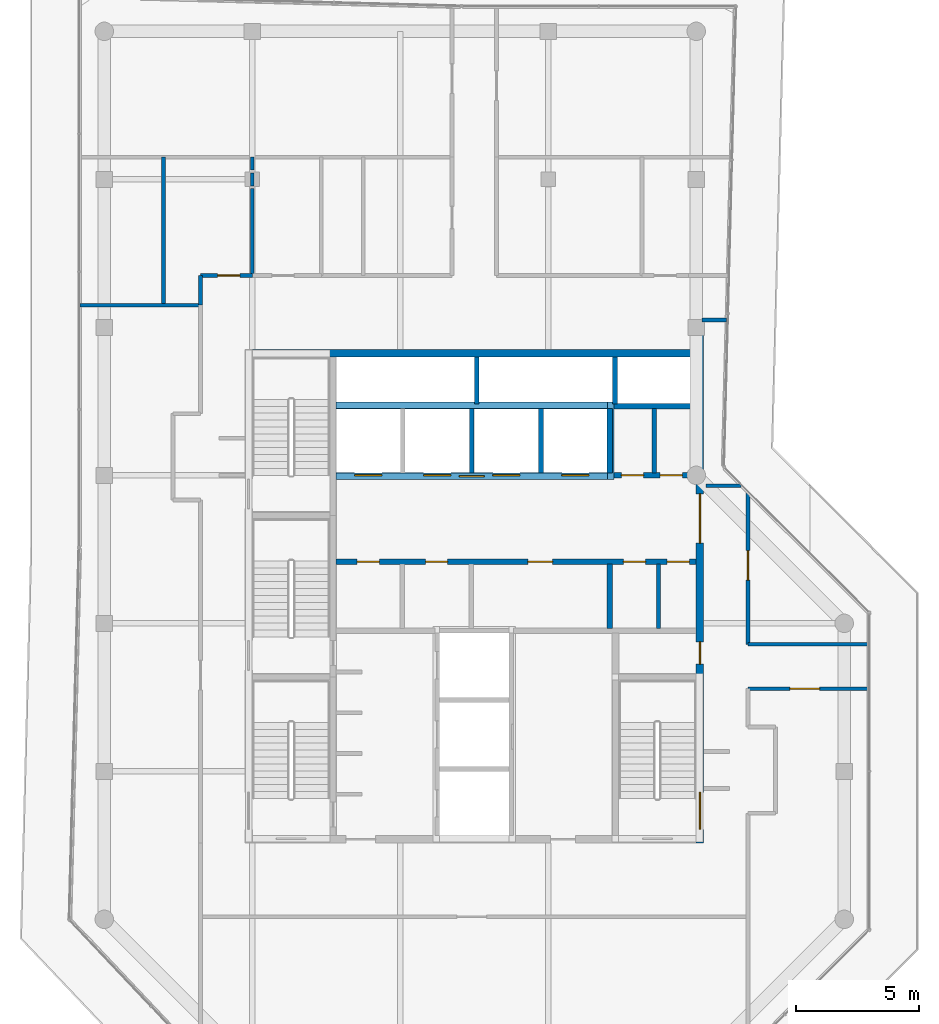
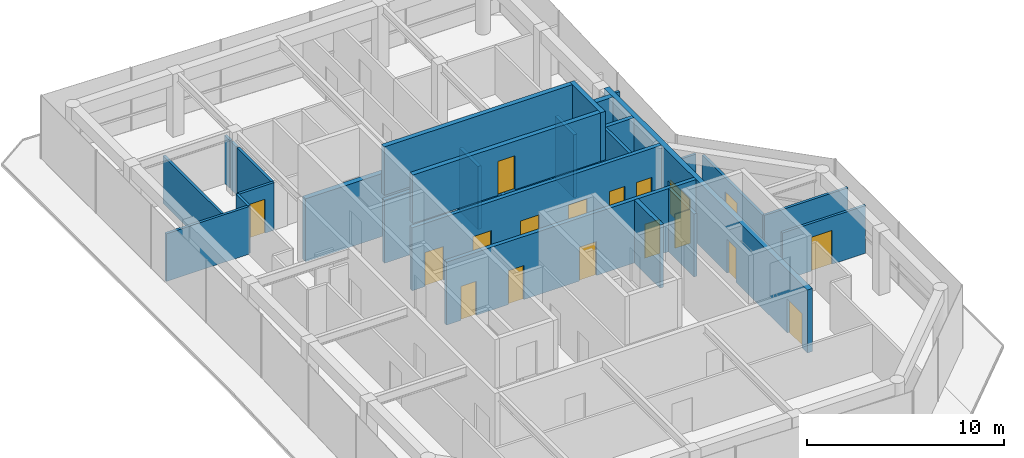
# One storey, part 12 of 15: 28 walls, 18 doors, 18 openings.
"""IFC4 building model written with IfcOpenShell, lengths in metres."""

from ifc_helpers import new_model, si_unit, direction, frame, frame_2d, origin, place, context, subcontext, project, spatial, rectangle, extrude, material, layer, layer_set, type_object, element, fill, save


model = new_model("IFC4")

# Units and contexts
model_context = context("Model", 3, precision=1e-05, world=origin(), true_north=direction((0.0, 1.0)))
body_context = subcontext(model_context, "Body", "Model", "MODEL_VIEW")
ifc_project = project(units=[si_unit("LENGTHUNIT", "METRE"), si_unit("AREAUNIT", "SQUARE_METRE"), si_unit("VOLUMEUNIT", "CUBIC_METRE"), si_unit("PLANEANGLEUNIT", "RADIAN"), si_unit("MASSUNIT", "GRAM", prefix="KILO")], contexts=[model_context])

# Site, building, storey
site_placement = place(None, origin())
site = spatial("IfcSite", under=ifc_project, at=site_placement, CompositionType="ELEMENT")
building_placement = place(site_placement, origin())
building = spatial("IfcBuilding", under=site, at=building_placement, Name="Welwitschia Terrace Campus", CompositionType="ELEMENT")
storey_placement = place(building_placement, frame((0.0, 0.0, 339.800048828125)))
storey = spatial("IfcBuildingStorey", under=building, at=storey_placement, Name="L76", CompositionType="ELEMENT", Elevation=339.800048828125)

# Walls
ifc_material_1 = material(Name="Concrete C32/40", Category="concrete")
ifc_layer_1 = layer(ifc_material_1, 0.175048828125)
ifc_layer_set_1 = layer_set([ifc_layer_1], Name="Concrete C32/40")
wall_type_1 = type_object("IfcWallType", Name="Core partition 175 Concrete C32/40", PredefinedType="PARTITIONING", material=ifc_layer_set_1)
for number, where, z_axis, x_axis, name in (
    (1, (22.300048828125, 20.10009765625, 0.0), (0.0, 0.0, 1.0), (0.0, 1.0, 0.0), "Core partition"),
    (2, (22.469970703125, 13.800048828125, 0.0), (0.0, 0.0, 1.0), (0.0, 1.0, 0.0), "Core partition"),
):
    element("IfcWall", number, at=place(storey_placement, frame(where, z_axis=z_axis, x_axis=x_axis)), inside=storey, type_object=wall_type_1, Name=name, PredefinedType="PARTITIONING", context=body_context, shape_type="SweptSolid", body=[
        extrude(rectangle(XDim=2.599853515625, YDim=0.175048828125, at=frame_2d((1.2998046875, 0.0))), origin(), (0.0, 0.0, 1.0), 3.89990234375),
    ])

# Wall, openings, doors
ifc_material_2 = material(Name="Concrete C32/40", Category="concrete")
ifc_layer_2 = layer(ifc_material_2, 0.22509765625)
ifc_layer_set_2 = layer_set([ifc_layer_2], Name="Concrete C32/40")
wall_type_2 = type_object("IfcWallType", Name="Core partition 225 Concrete C32/40", PredefinedType="PARTITIONING", material=ifc_layer_set_2)
wall_1_placement = place(storey_placement, frame((9.39990234375, 16.5, 0.0), z_axis=(0.0, 0.0, 1.0), x_axis=(1.0, 0.0, 0.0)))
wall_1 = element("IfcWall", 3, at=wall_1_placement, inside=storey, type_object=wall_type_2, Name="Core partition", PredefinedType="PARTITIONING", context=body_context, shape_type="SweptSolid", body=[
    extrude(rectangle(XDim=14.60009765625, YDim=0.22509765625, at=frame_2d((7.300048828125, 0.0))), origin(), (0.0, 0.0, 1.0), 3.89990234375),
])
opening_1_placement = place(wall_1_placement, frame((0.85009765625, 0.0, 0.0)))
opening_1 = element("IfcOpeningElement", 4, at=opening_1_placement, cuts=wall_1, Name="Opening DR09", PredefinedType="OPENING", context=body_context, shape_type="SweptSolid", body=[
    extrude(rectangle(XDim=0.89990234375, YDim=2.10009765625, at=frame_2d((0.449951171875, 1.050048828125))), frame((0.0, 0.12255859375, 0.0), z_axis=(0.0, -1.0, 0.0), x_axis=(1.0, 0.0, 0.0)), (0.0, 0.0, 1.0), 0.2451171875),
])
opening_2_placement = place(wall_1_placement, frame((3.625, 0.0, 0.0)))
opening_2 = element("IfcOpeningElement", 5, at=opening_2_placement, cuts=wall_1, Name="Opening DR09", PredefinedType="OPENING", context=body_context, shape_type="SweptSolid", body=[
    extrude(rectangle(XDim=0.89990234375, YDim=2.10009765625, at=frame_2d((0.449951171875, 1.050048828125))), frame((0.0, 0.12255859375, 0.0), z_axis=(0.0, -1.0, 0.0), x_axis=(1.0, 0.0, 0.0)), (0.0, 0.0, 1.0), 0.2451171875),
])
opening_3_placement = place(wall_1_placement, frame((7.77490234375, 0.0, 0.0)))
opening_3 = element("IfcOpeningElement", 6, at=opening_3_placement, cuts=wall_1, Name="Opening DR10", PredefinedType="OPENING", context=body_context, shape_type="SweptSolid", body=[
    extrude(rectangle(XDim=1.0, YDim=2.10009765625, at=frame_2d((0.5, 1.050048828125))), frame((0.0, 0.12255859375, 0.0), z_axis=(0.0, -1.0, 0.0), x_axis=(1.0, 0.0, 0.0)), (0.0, 0.0, 1.0), 0.2451171875),
])
opening_4_placement = place(wall_1_placement, frame((11.6474609375, 0.0, 0.0)))
opening_4 = element("IfcOpeningElement", 7, at=opening_4_placement, cuts=wall_1, Name="Opening DR09", PredefinedType="OPENING", context=body_context, shape_type="SweptSolid", body=[
    extrude(rectangle(XDim=0.89990234375, YDim=2.10009765625, at=frame_2d((0.449951171875, 1.050048828125))), frame((0.0, 0.12255859375, 0.0), z_axis=(0.0, -1.0, 0.0), x_axis=(1.0, 0.0, 0.0)), (0.0, 0.0, 1.0), 0.2451171875),
])
opening_5_placement = place(wall_1_placement, frame((13.422607421875, 0.0, 0.0)))
opening_5 = element("IfcOpeningElement", 8, at=opening_5_placement, cuts=wall_1, Name="Opening DR09", PredefinedType="OPENING", context=body_context, shape_type="SweptSolid", body=[
    extrude(rectangle(XDim=0.89990234375, YDim=2.10009765625, at=frame_2d((0.449951171875, 1.050048828125))), frame((0.0, 0.12255859375, 0.0), z_axis=(0.0, -1.0, 0.0), x_axis=(1.0, 0.0, 0.0)), (0.0, 0.0, 1.0), 0.2451171875),
])
ifc_material_3 = material(Name="Steel S275", Category="steel")
door_type_1 = type_object("IfcDoorType", Name="Core door DR09", OperationType="SINGLE_SWING_LEFT", PredefinedType="DOOR", material=ifc_material_3)
door_1_placement = place(opening_1_placement, origin())
door_1 = element("IfcDoor", 9, at=door_1_placement, inside=storey, type_object=door_type_1, Name="Door BAYL1-D", OperationType="SINGLE_SWING_LEFT", OverallHeight=2.10009765625, OverallWidth=0.89990234375, PredefinedType="DOOR", context=body_context, shape_type="SweptSolid", body=[
    extrude(rectangle(XDim=0.89990234375, YDim=2.10009765625, at=frame_2d((0.449951171875, 1.050048828125))), frame((0.0, 0.02490234375, 0.0), z_axis=(0.0, -1.0, 0.0), x_axis=(1.0, 0.0, 0.0)), (0.0, 0.0, 1.0), 0.050048828125),
])
fill(opening_1, door_1)
door_2_placement = place(opening_2_placement, origin())
door_2 = element("IfcDoor", 10, at=door_2_placement, inside=storey, type_object=door_type_1, Name="Door BAYL2-D", OperationType="SINGLE_SWING_LEFT", OverallHeight=2.10009765625, OverallWidth=0.89990234375, PredefinedType="DOOR", context=body_context, shape_type="SweptSolid", body=[
    extrude(rectangle(XDim=0.89990234375, YDim=2.10009765625, at=frame_2d((0.449951171875, 1.050048828125))), frame((0.0, 0.02490234375, 0.0), z_axis=(0.0, -1.0, 0.0), x_axis=(1.0, 0.0, 0.0)), (0.0, 0.0, 1.0), 0.050048828125),
])
fill(opening_2, door_2)
door_3_placement = place(opening_4_placement, origin())
door_3 = element("IfcDoor", 11, at=door_3_placement, inside=storey, type_object=door_type_1, Name="Door EL1-D", OperationType="SINGLE_SWING_RIGHT", OverallHeight=2.10009765625, OverallWidth=0.89990234375, PredefinedType="DOOR", context=body_context, shape_type="SweptSolid", body=[
    extrude(rectangle(XDim=0.89990234375, YDim=2.10009765625, at=frame_2d((0.449951171875, 1.050048828125))), frame((0.0, 0.02490234375, 0.0), z_axis=(0.0, -1.0, 0.0), x_axis=(1.0, 0.0, 0.0)), (0.0, 0.0, 1.0), 0.050048828125),
])
fill(opening_4, door_3)
door_4_placement = place(opening_5_placement, origin())
door_4 = element("IfcDoor", 12, at=door_4_placement, inside=storey, type_object=door_type_1, Name="Door EL2-D", OperationType="SINGLE_SWING_RIGHT", OverallHeight=2.10009765625, OverallWidth=0.89990234375, PredefinedType="DOOR", context=body_context, shape_type="SweptSolid", body=[
    extrude(rectangle(XDim=0.89990234375, YDim=2.10009765625, at=frame_2d((0.449951171875, 1.050048828125))), frame((0.0, 0.02490234375, 0.0), z_axis=(0.0, -1.0, 0.0), x_axis=(1.0, 0.0, 0.0)), (0.0, 0.0, 1.0), 0.050048828125),
])
fill(opening_5, door_4)
ifc_material_4 = material(Name="Steel S275", Category="steel")
door_type_2 = type_object("IfcDoorType", Name="Core door DR10", OperationType="SINGLE_SWING_LEFT", PredefinedType="DOOR", material=ifc_material_4)
door_5_placement = place(opening_3_placement, origin())
door_5 = element("IfcDoor", 13, at=door_5_placement, inside=storey, type_object=door_type_2, Name="Door BAYL3-D", OperationType="SINGLE_SWING_RIGHT", OverallHeight=2.10009765625, OverallWidth=1.0, PredefinedType="DOOR", context=body_context, shape_type="SweptSolid", body=[
    extrude(rectangle(XDim=1.0, YDim=2.10009765625, at=frame_2d((0.5, 1.050048828125))), frame((0.0, 0.02490234375, 0.0), z_axis=(0.0, -1.0, 0.0), x_axis=(1.0, 0.0, 0.0)), (0.0, 0.0, 1.0), 0.050048828125),
])
fill(opening_3, door_5)

wall_2_placement = place(storey_placement, frame((24.0, 20.0, 0.0), z_axis=(0.0, 0.0, 1.0), x_axis=(-1.0, 0.0, 0.0)))
wall_2 = element("IfcWall", 14, at=wall_2_placement, inside=storey, type_object=wall_type_2, Name="Shaft wall", PredefinedType="PARTITIONING", context=body_context, shape_type="SweptSolid", body=[
    extrude(rectangle(XDim=14.60009765625, YDim=0.22509765625, at=frame_2d((7.300048828125, 0.0))), origin(), (0.0, 0.0, 1.0), 3.89990234375),
])
opening_6_placement = place(wall_2_placement, frame((12.75, 0.0, 0.0)))
opening_6 = element("IfcOpeningElement", 15, at=opening_6_placement, cuts=wall_2, Name="Opening LD", PredefinedType="OPENING", context=body_context, shape_type="SweptSolid", body=[
    extrude(rectangle(XDim=1.10009765625, YDim=2.10009765625, at=frame_2d((0.550048828125, 1.050048828125))), frame((0.0, 0.12255859375, 0.0), z_axis=(0.0, -1.0, 0.0), x_axis=(1.0, 0.0, 0.0)), (0.0, 0.0, 1.0), 0.2451171875),
])
opening_7_placement = place(wall_2_placement, frame((9.949951171875, 0.0, 0.0)))
opening_7 = element("IfcOpeningElement", 16, at=opening_7_placement, cuts=wall_2, Name="Opening LD", PredefinedType="OPENING", context=body_context, shape_type="SweptSolid", body=[
    extrude(rectangle(XDim=1.10009765625, YDim=2.10009765625, at=frame_2d((0.550048828125, 1.050048828125))), frame((0.0, 0.12255859375, 0.0), z_axis=(0.0, -1.0, 0.0), x_axis=(1.0, 0.0, 0.0)), (0.0, 0.0, 1.0), 0.2451171875),
])
opening_8_placement = place(wall_2_placement, frame((7.14990234375, 0.0, 0.0)))
opening_8 = element("IfcOpeningElement", 17, at=opening_8_placement, cuts=wall_2, Name="Opening LD", PredefinedType="OPENING", context=body_context, shape_type="SweptSolid", body=[
    extrude(rectangle(XDim=1.10009765625, YDim=2.10009765625, at=frame_2d((0.550048828125, 1.050048828125))), frame((0.0, 0.12255859375, 0.0), z_axis=(0.0, -1.0, 0.0), x_axis=(1.0, 0.0, 0.0)), (0.0, 0.0, 1.0), 0.2451171875),
])
opening_9_placement = place(wall_2_placement, frame((4.35009765625, 0.0, 0.0)))
opening_9 = element("IfcOpeningElement", 18, at=opening_9_placement, cuts=wall_2, Name="Opening LD", PredefinedType="OPENING", context=body_context, shape_type="SweptSolid", body=[
    extrude(rectangle(XDim=1.10009765625, YDim=2.10009765625, at=frame_2d((0.550048828125, 1.050048828125))), frame((0.0, 0.12255859375, 0.0), z_axis=(0.0, -1.0, 0.0), x_axis=(1.0, 0.0, 0.0)), (0.0, 0.0, 1.0), 0.2451171875),
])
opening_10_placement = place(wall_2_placement, frame((2.137451171875, 0.0, 0.0)))
opening_10 = element("IfcOpeningElement", 19, at=opening_10_placement, cuts=wall_2, Name="Opening DR09", PredefinedType="OPENING", context=body_context, shape_type="SweptSolid", body=[
    extrude(rectangle(XDim=0.89990234375, YDim=2.10009765625, at=frame_2d((0.449951171875, 1.050048828125))), frame((0.0, 0.12255859375, 0.0), z_axis=(0.0, -1.0, 0.0), x_axis=(1.0, 0.0, 0.0)), (0.0, 0.0, 1.0), 0.2451171875),
])
opening_11_placement = place(wall_2_placement, frame((0.56201171875, 0.0, 0.0)))
opening_11 = element("IfcOpeningElement", 20, at=opening_11_placement, cuts=wall_2, Name="Opening DR09", PredefinedType="OPENING", context=body_context, shape_type="SweptSolid", body=[
    extrude(rectangle(XDim=0.89990234375, YDim=2.10009765625, at=frame_2d((0.449951171875, 1.050048828125))), frame((0.0, 0.12255859375, 0.0), z_axis=(0.0, -1.0, 0.0), x_axis=(1.0, 0.0, 0.0)), (0.0, 0.0, 1.0), 0.2451171875),
])
door_6_placement = place(opening_10_placement, origin())
door_6 = element("IfcDoor", 21, at=door_6_placement, inside=storey, type_object=door_type_1, Name="Door EH1-D", OperationType="SINGLE_SWING_LEFT", OverallHeight=2.10009765625, OverallWidth=0.89990234375, PredefinedType="DOOR", context=body_context, shape_type="SweptSolid", body=[
    extrude(rectangle(XDim=0.89990234375, YDim=2.10009765625, at=frame_2d((0.449951171875, 1.050048828125))), frame((0.0, 0.02490234375, 0.0), z_axis=(0.0, -1.0, 0.0), x_axis=(1.0, 0.0, 0.0)), (0.0, 0.0, 1.0), 0.050048828125),
])
fill(opening_10, door_6)
door_7_placement = place(opening_11_placement, origin())
door_7 = element("IfcDoor", 22, at=door_7_placement, inside=storey, type_object=door_type_1, Name="Door EH2-D", OperationType="SINGLE_SWING_LEFT", OverallHeight=2.10009765625, OverallWidth=0.89990234375, PredefinedType="DOOR", context=body_context, shape_type="SweptSolid", body=[
    extrude(rectangle(XDim=0.89990234375, YDim=2.10009765625, at=frame_2d((0.449951171875, 1.050048828125))), frame((0.0, 0.02490234375, 0.0), z_axis=(0.0, -1.0, 0.0), x_axis=(1.0, 0.0, 0.0)), (0.0, 0.0, 1.0), 0.050048828125),
])
fill(opening_11, door_7)
ifc_material_5 = material(Name="Stainless steel 304", Category="steel")
door_type_3 = type_object("IfcDoorType", Name="Lift landing door", OperationType="DOUBLE_DOOR_SLIDING", PredefinedType="DOOR", material=ifc_material_5)
door_8_placement = place(opening_6_placement, origin())
door_8 = element("IfcDoor", 23, at=door_8_placement, inside=storey, type_object=door_type_3, Name="Landing door HR1", OperationType="DOUBLE_DOOR_SLIDING", OverallHeight=2.10009765625, OverallWidth=1.10009765625, PredefinedType="DOOR", context=body_context, shape_type="SweptSolid", body=[
    extrude(rectangle(XDim=1.10009765625, YDim=2.10009765625, at=frame_2d((0.550048828125, 1.050048828125))), frame((0.0, 0.02490234375, 0.0), z_axis=(0.0, -1.0, 0.0), x_axis=(1.0, 0.0, 0.0)), (0.0, 0.0, 1.0), 0.050048828125),
])
fill(opening_6, door_8)
door_9_placement = place(opening_7_placement, origin())
door_9 = element("IfcDoor", 24, at=door_9_placement, inside=storey, type_object=door_type_3, Name="Landing door HR2", OperationType="DOUBLE_DOOR_SLIDING", OverallHeight=2.10009765625, OverallWidth=1.10009765625, PredefinedType="DOOR", context=body_context, shape_type="SweptSolid", body=[
    extrude(rectangle(XDim=1.10009765625, YDim=2.10009765625, at=frame_2d((0.550048828125, 1.050048828125))), frame((0.0, 0.02490234375, 0.0), z_axis=(0.0, -1.0, 0.0), x_axis=(1.0, 0.0, 0.0)), (0.0, 0.0, 1.0), 0.050048828125),
])
fill(opening_7, door_9)
door_10_placement = place(opening_8_placement, origin())
door_10 = element("IfcDoor", 25, at=door_10_placement, inside=storey, type_object=door_type_3, Name="Landing door HR3", OperationType="DOUBLE_DOOR_SLIDING", OverallHeight=2.10009765625, OverallWidth=1.10009765625, PredefinedType="DOOR", context=body_context, shape_type="SweptSolid", body=[
    extrude(rectangle(XDim=1.10009765625, YDim=2.10009765625, at=frame_2d((0.550048828125, 1.050048828125))), frame((0.0, 0.02490234375, 0.0), z_axis=(0.0, -1.0, 0.0), x_axis=(1.0, 0.0, 0.0)), (0.0, 0.0, 1.0), 0.050048828125),
])
fill(opening_8, door_10)
door_11_placement = place(opening_9_placement, origin())
door_11 = element("IfcDoor", 26, at=door_11_placement, inside=storey, type_object=door_type_3, Name="Landing door HR4", OperationType="DOUBLE_DOOR_SLIDING", OverallHeight=2.10009765625, OverallWidth=1.10009765625, PredefinedType="DOOR", context=body_context, shape_type="SweptSolid", body=[
    extrude(rectangle(XDim=1.10009765625, YDim=2.10009765625, at=frame_2d((0.550048828125, 1.050048828125))), frame((0.0, 0.02490234375, 0.0), z_axis=(0.0, -1.0, 0.0), x_axis=(1.0, 0.0, 0.0)), (0.0, 0.0, 1.0), 0.050048828125),
])
fill(opening_9, door_11)

# Walls
wall_3_placement = place(storey_placement, frame((9.39990234375, 22.800048828125, 0.0), z_axis=(0.0, 0.0, 1.0), x_axis=(1.0, 0.0, 0.0)))
element("IfcWall", 27, at=wall_3_placement, inside=storey, type_object=wall_type_2, Name="Shaft wall", PredefinedType="PARTITIONING", context=body_context, shape_type="SweptSolid", body=[
    extrude(rectangle(XDim=14.60009765625, YDim=0.22509765625, at=frame_2d((7.300048828125, 0.0))), origin(), (0.0, 0.0, 1.0), 3.89990234375),
])
for number, where, z_axis, x_axis, name in (
    (28, (20.5, 13.800048828125, 0.0), (0.0, 0.0, 1.0), (0.0, 1.0, 0.0), "Core partition"),
    (29, (20.5, 20.10009765625, 0.0), (0.0, 0.0, 1.0), (0.0, 1.0, 0.0), "Shaft wall"),
):
    element("IfcWall", number, at=place(storey_placement, frame(where, z_axis=z_axis, x_axis=x_axis)), inside=storey, type_object=wall_type_2, Name=name, PredefinedType="PARTITIONING", context=body_context, shape_type="SweptSolid", body=[
        extrude(rectangle(XDim=2.599853515625, YDim=0.22509765625, at=frame_2d((1.2998046875, 0.0))), origin(), (0.0, 0.0, 1.0), 3.89990234375),
    ])
ifc_material_6 = material(Name="Concrete C50/60", Category="concrete")
ifc_layer_3 = layer(ifc_material_6, 0.199951171875)
ifc_layer_set_3 = layer_set([ifc_layer_3], Name="Concrete C50/60")
wall_type_3 = type_object("IfcWallType", Name="Core wall 200 Concrete C50/60", PredefinedType="SHEAR", material=ifc_layer_set_3)
for number, where, z_axis, x_axis, name in (
    (30, (15.10009765625, 22.89990234375, 0.0), (0.0, 0.0, 1.0), (0.0, 1.0, 0.0), "Core wall"),
    (31, (20.699951171875, 22.89990234375, 0.0), (0.0, 0.0, 1.0), (0.0, 1.0, 0.0), "Core wall"),
):
    element("IfcWall", number, at=place(storey_placement, frame(where, z_axis=z_axis, x_axis=x_axis)), inside=storey, type_object=wall_type_3, Name=name, PredefinedType="SHEAR", context=body_context, shape_type="SweptSolid", body=[
        extrude(rectangle(XDim=1.900146484375, YDim=0.199951171875, at=frame_2d((0.9501953125, 0.0))), origin(), (0.0, 0.0, 1.0), 3.89990234375),
    ])

# Wall, openings, doors
ifc_material_7 = material(Name="Concrete C50/60", Category="concrete")
ifc_layer_4 = layer(ifc_material_7, 0.300048828125)
ifc_layer_set_4 = layer_set([ifc_layer_4], Name="Concrete C50/60")
wall_type_4 = type_object("IfcWallType", Name="Core wall 300 Concrete C50/60", PredefinedType="SHEAR", material=ifc_layer_set_4)
wall_4_placement = place(storey_placement, frame((24.14990234375, 25.705078125, 0.0), z_axis=(0.0, 0.0, 1.0), x_axis=(0.0, -1.0, 0.0)))
wall_4 = element("IfcWall", 32, at=wall_4_placement, inside=storey, type_object=wall_type_4, Name="Core outer wall", PredefinedType="SHEAR", context=body_context, shape_type="SweptSolid", body=[
    extrude(rectangle(XDim=20.60498046875, YDim=0.300048828125, at=frame_2d((10.302490234375, 0.0))), origin(), (0.0, 0.0, 1.0), 3.89990234375),
])
opening_12_placement = place(wall_4_placement, frame((18.554931640625, 0.0, 0.0)))
opening_12 = element("IfcOpeningElement", 33, at=opening_12_placement, cuts=wall_4, Name="Opening DS15", PredefinedType="OPENING", context=body_context, shape_type="SweptSolid", body=[
    extrude(rectangle(XDim=1.5, YDim=2.10009765625, at=frame_2d((0.75, 1.050048828125))), frame((0.0, 0.159912109375, 0.0), z_axis=(0.0, -1.0, 0.0), x_axis=(1.0, 0.0, 0.0)), (0.0, 0.0, 1.0), 0.320068359375),
])
opening_13_placement = place(wall_4_placement, frame((12.455078125, 0.0, 0.0)))
opening_13 = element("IfcOpeningElement", 34, at=opening_13_placement, cuts=wall_4, Name="Opening DR09", PredefinedType="OPENING", context=body_context, shape_type="SweptSolid", body=[
    extrude(rectangle(XDim=0.89990234375, YDim=2.10009765625, at=frame_2d((0.449951171875, 1.050048828125))), frame((0.0, 0.159912109375, 0.0), z_axis=(0.0, -1.0, 0.0), x_axis=(1.0, 0.0, 0.0)), (0.0, 0.0, 1.0), 0.320068359375),
])
opening_14_placement = place(wall_4_placement, frame((6.455078125, 0.0, 0.0)))
opening_14 = element("IfcOpeningElement", 35, at=opening_14_placement, cuts=wall_4, Name="Opening DL20", PredefinedType="OPENING", context=body_context, shape_type="SweptSolid", body=[
    extrude(rectangle(XDim=2.0, YDim=2.10009765625, at=frame_2d((1.0, 1.050048828125))), frame((0.0, 0.159912109375, 0.0), z_axis=(0.0, -1.0, 0.0), x_axis=(1.0, 0.0, 0.0)), (0.0, 0.0, 1.0), 0.320068359375),
])
ifc_material_8 = material(Name="Steel S275", Category="steel")
door_type_4 = type_object("IfcDoorType", Name="Core door DL20", OperationType="DOUBLE_DOOR_SINGLE_SWING", PredefinedType="DOOR", material=ifc_material_8)
door_12_placement = place(opening_14_placement, origin())
door_12 = element("IfcDoor", 36, at=door_12_placement, inside=storey, type_object=door_type_4, Name="Door LOBBY-out", OperationType="DOUBLE_DOOR_SINGLE_SWING", OverallHeight=2.10009765625, OverallWidth=2.0, PredefinedType="DOOR", context=body_context, shape_type="SweptSolid", body=[
    extrude(rectangle(XDim=2.0, YDim=2.10009765625, at=frame_2d((1.0, 1.050048828125))), frame((0.0, 0.02490234375, 0.0), z_axis=(0.0, -1.0, 0.0), x_axis=(1.0, 0.0, 0.0)), (0.0, 0.0, 1.0), 0.050048828125),
])
fill(opening_14, door_12)
door_13_placement = place(opening_13_placement, origin())
door_13 = element("IfcDoor", 37, at=door_13_placement, inside=storey, type_object=door_type_1, Name="Door F1B-out", OperationType="SINGLE_SWING_RIGHT", OverallHeight=2.10009765625, OverallWidth=0.89990234375, PredefinedType="DOOR", context=body_context, shape_type="SweptSolid", body=[
    extrude(rectangle(XDim=0.89990234375, YDim=2.10009765625, at=frame_2d((0.449951171875, 1.050048828125))), frame((0.0, 0.02490234375, 0.0), z_axis=(0.0, -1.0, 0.0), x_axis=(1.0, 0.0, 0.0)), (0.0, 0.0, 1.0), 0.050048828125),
])
fill(opening_13, door_13)
ifc_material_9 = material(Name="Steel S275", Category="steel")
door_type_5 = type_object("IfcDoorType", Name="Core door DS15", OperationType="DOUBLE_DOOR_SINGLE_SWING", PredefinedType="DOOR", material=ifc_material_9)
door_14_placement = place(opening_12_placement, origin())
door_14 = element("IfcDoor", 38, at=door_14_placement, inside=storey, type_object=door_type_5, Name="Door S2-out", OperationType="DOUBLE_DOOR_SINGLE_SWING", OverallHeight=2.10009765625, OverallWidth=1.5, PredefinedType="DOOR", context=body_context, shape_type="SweptSolid", body=[
    extrude(rectangle(XDim=1.5, YDim=2.10009765625, at=frame_2d((0.75, 1.050048828125))), frame((0.0, 0.02490234375, 0.0), z_axis=(0.0, -1.0, 0.0), x_axis=(1.0, 0.0, 0.0)), (0.0, 0.0, 1.0), 0.050048828125),
])
fill(opening_12, door_14)

# Walls
wall_5_placement = place(storey_placement, frame((6.0, 24.949951171875, 0.0), z_axis=(0.0, 0.0, 1.0), x_axis=(1.0, 0.0, 0.0)))
element("IfcWall", 39, at=wall_5_placement, inside=storey, type_object=wall_type_4, Name="Core outer wall", PredefinedType="SHEAR", context=body_context, shape_type="SweptSolid", body=[
    extrude(rectangle(XDim=18.0, YDim=0.300048828125, at=frame_2d((9.0, 0.0))), origin(), (0.0, 0.0, 1.0), 3.89990234375),
])
ifc_material_10 = material(Name="Gypsum board on steel studs", Category="steel")
ifc_layer_5 = layer(ifc_material_10, 0.14990234375)
ifc_layer_set_5 = layer_set([ifc_layer_5], Name="Gypsum board on steel studs")
wall_type_5 = type_object("IfcWallType", Name="Corridor partition 150 EI 30", PredefinedType="PARTITIONING", material=ifc_layer_set_5)
wall_6_placement = place(storey_placement, frame((-0.97998046875, 26.89990234375, 0.0), z_axis=(0.0, 0.0, 1.0), x_axis=(1.0, 0.0, 0.0)))
element("IfcWall", 40, at=wall_6_placement, inside=storey, type_object=wall_type_5, Name="Partition", PredefinedType="PARTITIONING", context=body_context, shape_type="SweptSolid", body=[
    extrude(rectangle(XDim=4.8798828125, YDim=0.14990234375, at=frame_2d((2.43994140625, 0.0))), origin(), (0.0, 0.0, 1.0), 2.949951171875),
])
wall_7_placement = place(storey_placement, frame((2.39990234375, 26.89990234375, 0.0), z_axis=(0.0, 0.0, 1.0), x_axis=(0.0, 1.0, 0.0)))
element("IfcWall", 41, at=wall_7_placement, inside=storey, type_object=wall_type_5, Name="Partition", PredefinedType="PARTITIONING", context=body_context, shape_type="SweptSolid", body=[
    extrude(rectangle(XDim=6.0, YDim=0.14990234375, at=frame_2d((3.0, 0.0))), origin(), (0.0, 0.0, 1.0), 2.949951171875),
])
wall_8_placement = place(storey_placement, frame((3.89990234375, 26.89990234375, 0.0), z_axis=(0.0, 0.0, 1.0), x_axis=(0.0, 1.0, 0.0)))
element("IfcWall", 42, at=wall_8_placement, inside=storey, type_object=wall_type_5, Name="Partition", PredefinedType="PARTITIONING", context=body_context, shape_type="SweptSolid", body=[
    extrude(rectangle(XDim=1.2001953125, YDim=0.14990234375, at=frame_2d((0.60009765625, 0.0))), origin(), (0.0, 0.0, 1.0), 2.949951171875),
])

# Wall, opening, door
wall_9_placement = place(storey_placement, frame((3.89990234375, 28.10009765625, 0.0), z_axis=(0.0, 0.0, 1.0), x_axis=(1.0, 0.0, 0.0)))
wall_9 = element("IfcWall", 43, at=wall_9_placement, inside=storey, type_object=wall_type_5, Name="Partition", PredefinedType="PARTITIONING", context=body_context, shape_type="SweptSolid", body=[
    extrude(rectangle(XDim=2.10009765625, YDim=0.14990234375, at=frame_2d((1.050048828125, 0.0))), origin(), (0.0, 0.0, 1.0), 2.949951171875),
])
opening_15_placement = place(wall_9_placement, frame((0.699951171875, 0.0, 0.0)))
opening_15 = element("IfcOpeningElement", 44, at=opening_15_placement, cuts=wall_9, Name="Opening DI09", PredefinedType="OPENING", context=body_context, shape_type="SweptSolid", body=[
    extrude(rectangle(XDim=0.89990234375, YDim=2.10009765625, at=frame_2d((0.449951171875, 1.050048828125))), frame((0.0, 0.0849609375, 0.0), z_axis=(0.0, -1.0, 0.0), x_axis=(1.0, 0.0, 0.0)), (0.0, 0.0, 1.0), 0.169921875),
])
ifc_material_11 = material(Name="Timber veneered door", Category="wood")
door_type_6 = type_object("IfcDoorType", Name="Interior door DI09", OperationType="NOTDEFINED", PredefinedType="DOOR", material=ifc_material_11)
door_15_placement = place(opening_15_placement, origin())
door_15 = element("IfcDoor", 45, at=door_15_placement, inside=storey, type_object=door_type_6, Name="Door L76 1301", OperationType="SINGLE_SWING_RIGHT", OverallHeight=2.10009765625, OverallWidth=0.89990234375, PredefinedType="DOOR", context=body_context, shape_type="SweptSolid", body=[
    extrude(rectangle(XDim=0.89990234375, YDim=2.10009765625, at=frame_2d((0.449951171875, 1.050048828125))), frame((0.0, 0.02490234375, 0.0), z_axis=(0.0, -1.0, 0.0), x_axis=(1.0, 0.0, 0.0)), (0.0, 0.0, 1.0), 0.050048828125),
])
fill(opening_15, door_15)

# Walls
wall_10_placement = place(storey_placement, frame((6.0, 28.10009765625, 0.0), z_axis=(0.0, 0.0, 1.0), x_axis=(0.0, 1.0, 0.0)))
element("IfcWall", 46, at=wall_10_placement, inside=storey, type_object=wall_type_5, Name="Partition", PredefinedType="PARTITIONING", context=body_context, shape_type="SweptSolid", body=[
    extrude(rectangle(XDim=3.52978515625, YDim=0.14990234375, at=frame_2d((1.764892578125, 0.0))), origin(), (0.0, 0.0, 1.0), 2.949951171875),
])
wall_11_placement = place(storey_placement, frame((6.0, 31.735595703125, 0.0), z_axis=(0.0, 0.0, 1.0), x_axis=(0.0, 1.0, 0.0)))
element("IfcWall", 47, at=wall_11_placement, inside=storey, type_object=wall_type_5, Name="Partition", PredefinedType="PARTITIONING", context=body_context, shape_type="SweptSolid", body=[
    extrude(rectangle(XDim=0.52880859375, YDim=0.14990234375, at=frame_2d((0.264404296875, 0.0))), origin(), (0.0, 0.0, 1.0), 2.949951171875),
])
wall_12_placement = place(storey_placement, frame((6.0, 32.3701171875, 0.0), z_axis=(0.0, 0.0, 1.0), x_axis=(0.0, 1.0, 0.0)))
element("IfcWall", 48, at=wall_12_placement, inside=storey, type_object=wall_type_5, Name="Partition", PredefinedType="PARTITIONING", context=body_context, shape_type="SweptSolid", body=[
    extrude(rectangle(XDim=0.52978515625, YDim=0.14990234375, at=frame_2d((0.264892578125, 0.0))), origin(), (0.0, 0.0, 1.0), 2.949951171875),
])
wall_13_placement = place(storey_placement, frame((24.22998046875, 26.300048828125, 0.0), z_axis=(0.0, 0.0, 1.0), x_axis=(1.0, 0.0, 0.0)))
element("IfcWall", 49, at=wall_13_placement, inside=storey, type_object=wall_type_5, Name="Partition", PredefinedType="PARTITIONING", context=body_context, shape_type="SweptSolid", body=[
    extrude(rectangle(XDim=0.990478515625, YDim=0.14990234375, at=frame_2d((0.4951171875, 0.0))), origin(), (0.0, 0.0, 1.0), 2.949951171875),
])
wall_14_placement = place(storey_placement, frame((24.39990234375, 19.580078125, 0.0), z_axis=(0.0, 0.0, 1.0), x_axis=(1.0, 0.0, 0.0)))
element("IfcWall", 50, at=wall_14_placement, inside=storey, type_object=wall_type_5, Name="Partition", PredefinedType="PARTITIONING", context=body_context, shape_type="SweptSolid", body=[
    extrude(rectangle(XDim=1.41015625, YDim=0.14990234375, at=frame_2d((0.705078125, 0.0))), origin(), (0.0, 0.0, 1.0), 2.949951171875),
])
wall_15_placement = place(storey_placement, frame((26.10009765625, 13.14990234375, 0.0), z_axis=(0.0, 0.0, 1.0), x_axis=(1.0, 0.0, 0.0)))
element("IfcWall", 51, at=wall_15_placement, inside=storey, type_object=wall_type_5, Name="Partition", PredefinedType="PARTITIONING", context=body_context, shape_type="SweptSolid", body=[
    extrude(rectangle(XDim=4.8798828125, YDim=0.14990234375, at=frame_2d((2.43994140625, 0.0))), origin(), (0.0, 0.0, 1.0), 2.949951171875),
])

# Wall, opening, door
wall_16_placement = place(storey_placement, frame((26.10009765625, 19.280029296875, 0.0), z_axis=(0.0, 0.0, 1.0), x_axis=(0.0, -1.0, 0.0)))
wall_16 = element("IfcWall", 52, at=wall_16_placement, inside=storey, type_object=wall_type_5, Name="Partition", PredefinedType="PARTITIONING", context=body_context, shape_type="SweptSolid", body=[
    extrude(rectangle(XDim=6.130126953125, YDim=0.14990234375, at=frame_2d((3.06494140625, 0.0))), origin(), (0.0, 0.0, 1.0), 2.949951171875),
])
opening_16_placement = place(wall_16_placement, frame((2.330078125, 0.0, 0.0)))
opening_16 = element("IfcOpeningElement", 53, at=opening_16_placement, cuts=wall_16, Name="Opening DX12", PredefinedType="OPENING", context=body_context, shape_type="SweptSolid", body=[
    extrude(rectangle(XDim=1.199951171875, YDim=2.10009765625, at=frame_2d((0.60009765625, 1.050048828125))), frame((0.0, 0.0849609375, 0.0), z_axis=(0.0, -1.0, 0.0), x_axis=(1.0, 0.0, 0.0)), (0.0, 0.0, 1.0), 0.169921875),
])
ifc_material_12 = material(Name="Timber veneered door", Category="wood")
door_type_7 = type_object("IfcDoorType", Name="Interior door DX12", OperationType="NOTDEFINED", PredefinedType="DOOR", material=ifc_material_12)
door_16_placement = place(opening_16_placement, origin())
door_16 = element("IfcDoor", 54, at=door_16_placement, inside=storey, type_object=door_type_7, Name="Door L76 1308", OperationType="SINGLE_SWING_LEFT", OverallHeight=2.10009765625, OverallWidth=1.199951171875, PredefinedType="DOOR", context=body_context, shape_type="SweptSolid", body=[
    extrude(rectangle(XDim=1.199951171875, YDim=2.10009765625, at=frame_2d((0.60009765625, 1.050048828125))), frame((0.0, 0.02490234375, 0.0), z_axis=(0.0, -1.0, 0.0), x_axis=(1.0, 0.0, 0.0)), (0.0, 0.0, 1.0), 0.050048828125),
])
fill(opening_16, door_16)

wall_17_placement = place(storey_placement, frame((30.97998046875, 11.35009765625, 0.0), z_axis=(0.0, 0.0, 1.0), x_axis=(-1.0, 0.0, 0.0)))
wall_17 = element("IfcWall", 55, at=wall_17_placement, inside=storey, type_object=wall_type_5, Name="Partition", PredefinedType="PARTITIONING", context=body_context, shape_type="SweptSolid", body=[
    extrude(rectangle(XDim=4.8798828125, YDim=0.14990234375, at=frame_2d((2.43994140625, 0.0))), origin(), (0.0, 0.0, 1.0), 2.949951171875),
])
opening_17_placement = place(wall_17_placement, frame((1.97998046875, 0.0, 0.0)))
opening_17 = element("IfcOpeningElement", 56, at=opening_17_placement, cuts=wall_17, Name="Opening DX12", PredefinedType="OPENING", context=body_context, shape_type="SweptSolid", body=[
    extrude(rectangle(XDim=1.199951171875, YDim=2.10009765625, at=frame_2d((0.60009765625, 1.050048828125))), frame((0.0, 0.0849609375, 0.0), z_axis=(0.0, -1.0, 0.0), x_axis=(1.0, 0.0, 0.0)), (0.0, 0.0, 1.0), 0.169921875),
])
door_17_placement = place(opening_17_placement, origin())
door_17 = element("IfcDoor", 57, at=door_17_placement, inside=storey, type_object=door_type_7, Name="Door L76 1309", OperationType="SINGLE_SWING_RIGHT", OverallHeight=2.10009765625, OverallWidth=1.199951171875, PredefinedType="DOOR", context=body_context, shape_type="SweptSolid", body=[
    extrude(rectangle(XDim=1.199951171875, YDim=2.10009765625, at=frame_2d((0.60009765625, 1.050048828125))), frame((0.0, 0.02490234375, 0.0), z_axis=(0.0, -1.0, 0.0), x_axis=(1.0, 0.0, 0.0)), (0.0, 0.0, 1.0), 0.050048828125),
])
fill(opening_17, door_17)

ifc_material_13 = material(Name="Concrete C50/60", Category="concrete")
ifc_layer_6 = layer(ifc_material_13, 0.27490234375)
ifc_layer_set_6 = layer_set([ifc_layer_6], Name="Concrete C50/60")
wall_type_6 = type_object("IfcWallType", Name="Head house wall 275 Concrete C50/60", PredefinedType="SHEAR", material=ifc_layer_set_6)
wall_18_placement = place(storey_placement, frame((20.39990234375, 19.962890625, 4.199951171875), z_axis=(0.0, 0.0, 1.0), x_axis=(-1.0, 0.0, 0.0)))
wall_18 = element("IfcWall", 58, at=wall_18_placement, inside=storey, type_object=wall_type_6, Name="Core wall", PredefinedType="SHEAR", context=body_context, shape_type="SweptSolid", body=[
    extrude(rectangle(XDim=11.0, YDim=0.27490234375, at=frame_2d((5.5, 0.0))), origin(), (0.0, 0.0, 1.0), 3.0),
])
opening_18_placement = place(wall_18_placement, frame((5.0, 0.0, 0.0)))
opening_18 = element("IfcOpeningElement", 59, at=opening_18_placement, cuts=wall_18, Name="Opening DR10", PredefinedType="OPENING", context=body_context, shape_type="SweptSolid", body=[
    extrude(rectangle(XDim=1.0, YDim=2.10009765625, at=frame_2d((0.5, 1.050048828125))), frame((0.0, 0.1474609375, 0.0), z_axis=(0.0, -1.0, 0.0), x_axis=(1.0, 0.0, 0.0)), (0.0, 0.0, 1.0), 0.294921875),
])
door_18_placement = place(opening_18_placement, origin())
door_18 = element("IfcDoor", 60, at=door_18_placement, inside=storey, type_object=door_type_2, Name="Door HR", OperationType="SINGLE_SWING_LEFT", OverallHeight=2.10009765625, OverallWidth=1.0, PredefinedType="DOOR", context=body_context, shape_type="SweptSolid", body=[
    extrude(rectangle(XDim=1.0, YDim=2.10009765625, at=frame_2d((0.5, 1.050048828125))), frame((0.0, 0.02490234375, 0.0), z_axis=(0.0, -1.0, 0.0), x_axis=(1.0, 0.0, 0.0)), (0.0, 0.0, 1.0), 0.050048828125),
])
fill(opening_18, door_18)

# Walls
wall_19_placement = place(storey_placement, frame((9.39990234375, 22.8369140625, 4.199951171875), z_axis=(0.0, 0.0, 1.0), x_axis=(1.0, 0.0, 0.0)))
element("IfcWall", 61, at=wall_19_placement, inside=storey, type_object=wall_type_6, Name="Core wall", PredefinedType="SHEAR", context=body_context, shape_type="SweptSolid", body=[
    extrude(rectangle(XDim=11.0, YDim=0.27490234375, at=frame_2d((5.5, 0.0))), origin(), (0.0, 0.0, 1.0), 3.0),
])
wall_20_placement = place(storey_placement, frame((20.537109375, 19.824951171875, 4.199951171875), z_axis=(0.0, 0.0, 1.0), x_axis=(0.0, 1.0, 0.0)))
element("IfcWall", 62, at=wall_20_placement, inside=storey, type_object=wall_type_6, Name="Core wall", PredefinedType="SHEAR", context=body_context, shape_type="SweptSolid", body=[
    extrude(rectangle(XDim=3.150146484375, YDim=0.27490234375, at=frame_2d((1.5751953125, 0.0))), origin(), (0.0, 0.0, 1.0), 3.0),
])
ifc_material_14 = material(Name="Concrete C32/40", Category="concrete")
ifc_layer_7 = layer(ifc_material_14, 0.199951171875)
ifc_layer_set_7 = layer_set([ifc_layer_7], Name="Concrete C32/40")
wall_type_7 = type_object("IfcWallType", Name="Shaft wall 200 Concrete C32/40", PredefinedType="SOLIDWALL", material=ifc_layer_set_7)
for number, where, z_axis, x_axis, name in (
    (63, (14.89990234375, 20.10009765625, 0.0), (0.0, 0.0, 1.0), (0.0, 1.0, 0.0), "Shaft wall"),
    (64, (17.699951171875, 20.10009765625, 0.0), (0.0, 0.0, 1.0), (0.0, 1.0, 0.0), "Shaft wall"),
):
    element("IfcWall", number, at=place(storey_placement, frame(where, z_axis=z_axis, x_axis=x_axis)), inside=storey, type_object=wall_type_7, Name=name, PredefinedType="SOLIDWALL", context=body_context, shape_type="SweptSolid", body=[
        extrude(rectangle(XDim=2.599853515625, YDim=0.199951171875, at=frame_2d((1.2998046875, 0.0))), origin(), (0.0, 0.0, 1.0), 3.89990234375),
    ])

save(model, "model.ifc")
